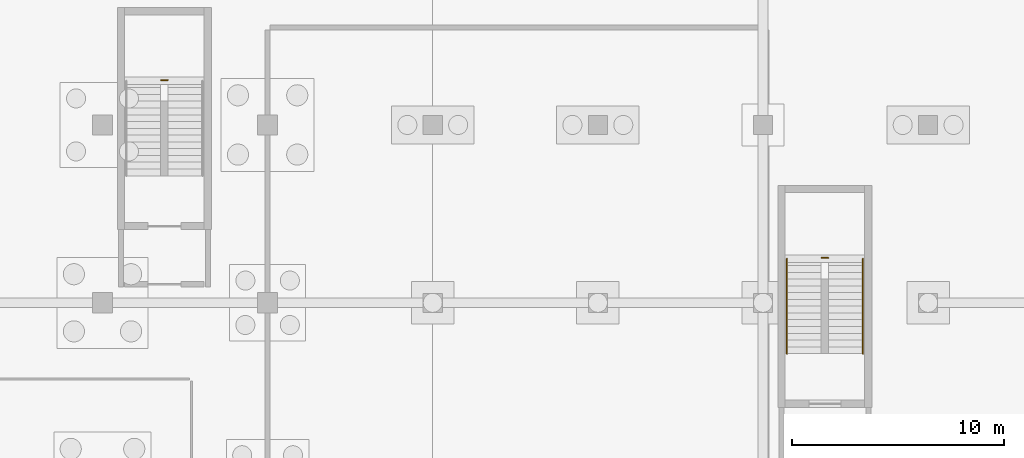
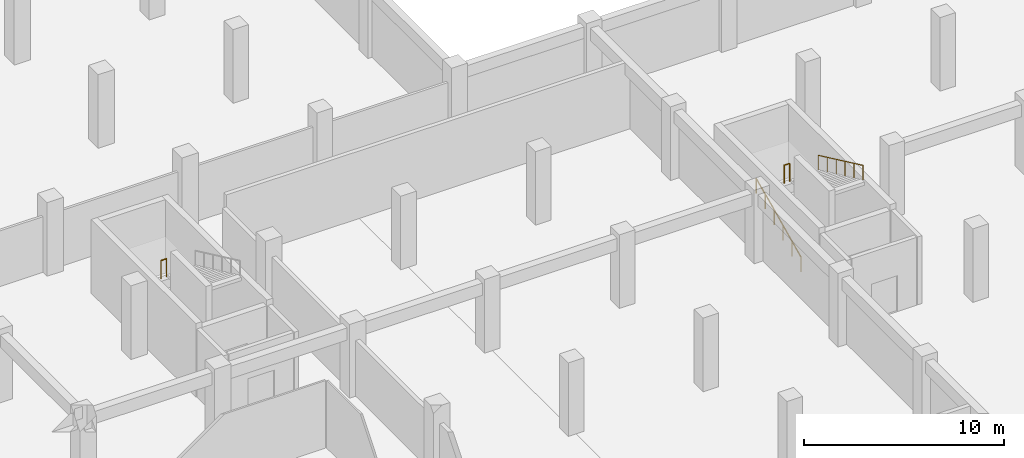
# One storey, part 26 of 30: 4 railings.
"""IFC4 building model written with IfcOpenShell, lengths in metres."""

from ifc_helpers import new_model, si_unit, direction, frame, origin, origin_2d, place, context, subcontext, project, spatial, circle, extrude, material, type_object, element, save


model = new_model("IFC4")

# Units and contexts
model_context = context("Model", 3, precision=1e-05, world=origin(), true_north=direction((0.0, 1.0)))
body_context = subcontext(model_context, "Body", "Model", "MODEL_VIEW")
ifc_project = project(units=[si_unit("LENGTHUNIT", "METRE"), si_unit("AREAUNIT", "SQUARE_METRE"), si_unit("VOLUMEUNIT", "CUBIC_METRE"), si_unit("PLANEANGLEUNIT", "RADIAN"), si_unit("MASSUNIT", "GRAM", prefix="KILO"), si_unit("THERMODYNAMICTEMPERATUREUNIT", "KELVIN"), si_unit("POWERUNIT", "WATT")], contexts=[model_context])

# Site, building, storey
site_placement = place(None, origin())
site = spatial("IfcSite", under=ifc_project, at=site_placement, CompositionType="ELEMENT")
building_placement = place(site_placement, origin())
building = spatial("IfcBuilding", under=site, at=building_placement, Name="Srebrne Nadtorze General Hospital", CompositionType="ELEMENT")
storey_placement = place(building_placement, frame((0.0, 0.0, -4.5)))
storey = spatial("IfcBuildingStorey", under=building, at=storey_placement, Name="B1", CompositionType="ELEMENT", Elevation=-4.5)

# Railings
ifc_material_1 = material(Name="Stainless Steel 316", Category="steel")
railing_type_1 = type_object("IfcRailingType", Name="Stairwell safety guard 1120", PredefinedType="BALUSTRADE", material=ifc_material_1)
for number, where, name in (
    (1, (49.56494140625, 86.1201171875, 2.25), "Half landing well guard ST-02-B1"),
    (2, (80.764892578125, 77.719970703125, 2.25), "Half landing well guard ST-07-B1"),
):
    element("IfcRailing", number, at=place(storey_placement, frame(where)), inside=storey, type_object=railing_type_1, Name=name, PredefinedType="BALUSTRADE", context=body_context, shape_type="SweptSolid", body=[
        extrude(circle(Radius=0.02392578125, at=origin_2d()), frame((0.0, 0.0, 1.09619140625), z_axis=(1.0, 0.0, 0.0), x_axis=(0.0, 1.0, 0.0)), (0.0, 0.0, 1.0), 0.320068359375),
        extrude(circle(Radius=0.02099609375, at=origin_2d()), origin(), (0.0, 0.0, 1.0), 1.072021484375),
        extrude(circle(Radius=0.02099609375, at=origin_2d()), frame((0.320068359375, 0.0, 0.0)), (0.0, 0.0, 1.0), 1.072021484375),
    ])
ifc_material_2 = material(Name="Stainless Steel 316", Category="steel")
railing_type_2 = type_object("IfcRailingType", Name="Tubular stainless handrail 920", PredefinedType="HANDRAIL", material=ifc_material_2)
railing_1_placement = place(storey_placement, frame((79.1298828125, 73.199951171875, 0.14990234375)))
element("IfcRailing", 3, at=railing_1_placement, inside=storey, type_object=railing_type_2, Name="Stair flight handrail ST-07-B1 F1", PredefinedType="HANDRAIL", context=body_context, shape_type="SweptSolid", body=[
    extrude(circle(Radius=0.02392578125, at=origin_2d()), frame((0.0, 0.0, 0.89599609375), z_axis=(0.0, 0.905450639465, 0.424451574969), x_axis=(-1.0, 0.0, 0.0)), (0.0, 0.0, 1.0), 4.94775390625),
    extrude(circle(Radius=0.02099609375, at=origin_2d()), origin(), (0.0, 0.0, 1.0), 0.871826171875),
    extrude(circle(Radius=0.02099609375, at=origin_2d()), frame((0.0, 0.89599609375, 0.419921875)), (0.0, 0.0, 1.0), 0.871826171875),
    extrude(circle(Radius=0.02099609375, at=origin_2d()), frame((0.0, 1.7919921875, 0.840087890625)), (0.0, 0.0, 1.0), 0.871826171875),
    extrude(circle(Radius=0.02099609375, at=origin_2d()), frame((0.0, 2.68798828125, 1.260009765625)), (0.0, 0.0, 1.0), 0.871826171875),
    extrude(circle(Radius=0.02099609375, at=origin_2d()), frame((0.0, 3.583984375, 1.68017578125)), (0.0, 0.0, 1.0), 0.871826171875),
    extrude(circle(Radius=0.02099609375, at=origin_2d()), frame((0.0, 4.47998046875, 2.10009765625)), (0.0, 0.0, 1.0), 0.871826171875),
])
railing_2_placement = place(storey_placement, frame((82.719970703125, 77.679931640625, 2.39990234375)))
element("IfcRailing", 4, at=railing_2_placement, inside=storey, type_object=railing_type_2, Name="Stair flight handrail ST-07-B1 F2", PredefinedType="HANDRAIL", context=body_context, shape_type="SweptSolid", body=[
    extrude(circle(Radius=0.02392578125, at=origin_2d()), frame((0.0, 0.0, 0.89599609375), z_axis=(0.0, -0.905450639465, 0.424451574969), x_axis=(1.0, 0.0, 0.0)), (0.0, 0.0, 1.0), 4.94775390625),
    extrude(circle(Radius=0.02099609375, at=origin_2d()), origin(), (0.0, 0.0, 1.0), 0.871826171875),
    extrude(circle(Radius=0.02099609375, at=origin_2d()), frame((0.0, -0.89599609375, 0.419921875)), (0.0, 0.0, 1.0), 0.871826171875),
    extrude(circle(Radius=0.02099609375, at=origin_2d()), frame((0.0, -1.7919921875, 0.840087890625)), (0.0, 0.0, 1.0), 0.871826171875),
    extrude(circle(Radius=0.02099609375, at=origin_2d()), frame((0.0, -2.68798828125, 1.260009765625)), (0.0, 0.0, 1.0), 0.871826171875),
    extrude(circle(Radius=0.02099609375, at=origin_2d()), frame((0.0, -3.583984375, 1.68017578125)), (0.0, 0.0, 1.0), 0.871826171875),
    extrude(circle(Radius=0.02099609375, at=origin_2d()), frame((0.0, -4.47998046875, 2.10009765625)), (0.0, 0.0, 1.0), 0.871826171875),
])

save(model, "model.ifc")
